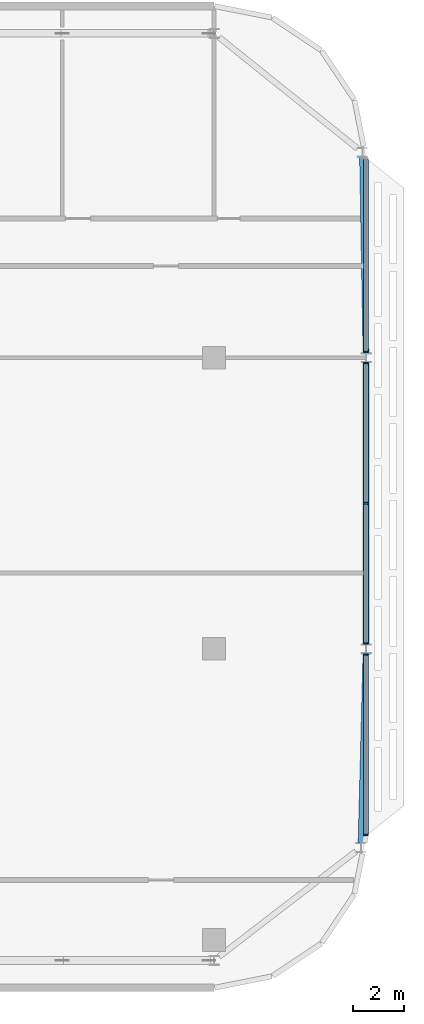
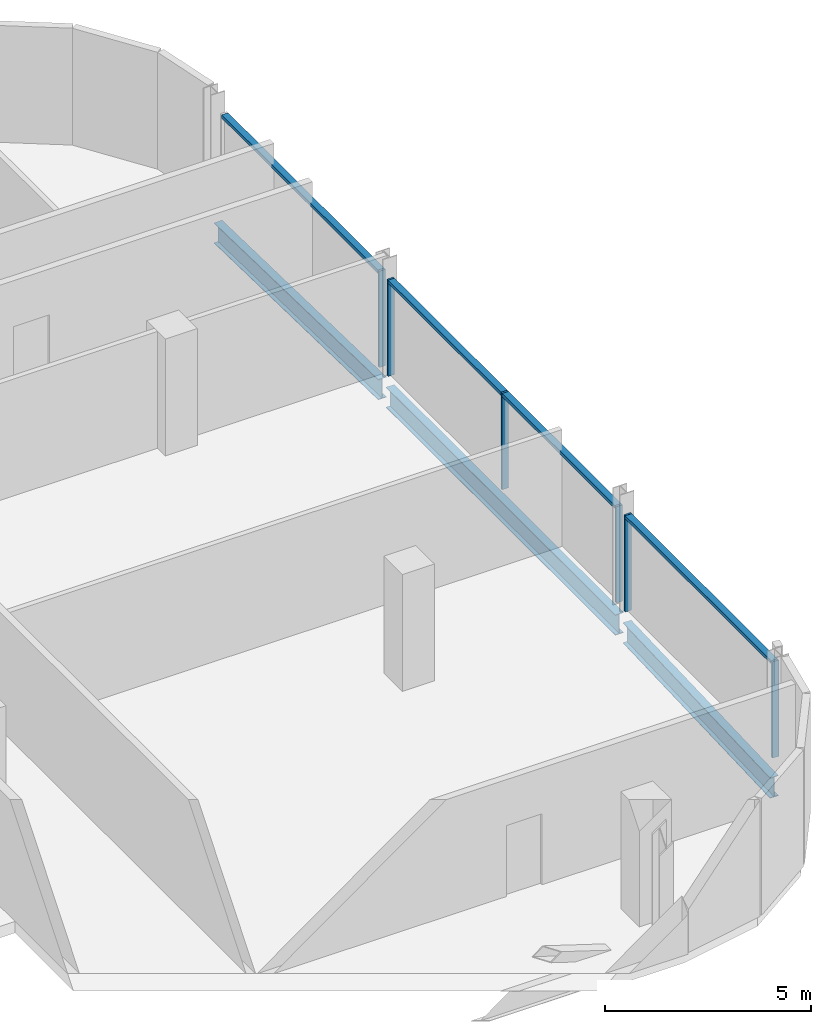
# One storey, part 10 of 28: 10 members, 3 beams, 3 elements without a shape of their own.
"""IFC4 building model written with IfcOpenShell, lengths in metres."""

from ifc_helpers import new_model, si_unit, direction, frame, origin, origin_2d, place, context, subcontext, project, spatial, rectangle, i_section, extrude, material, material_profile, profile_set, type_object, element, aggregate, save


model = new_model("IFC4")

# Units and contexts
model_context = context("Model", 3, precision=1e-05, world=origin(), true_north=direction((0.0, 1.0)))
body_context = subcontext(model_context, "Body", "Model", "MODEL_VIEW")
ifc_project = project(units=[si_unit("LENGTHUNIT", "METRE"), si_unit("AREAUNIT", "SQUARE_METRE"), si_unit("VOLUMEUNIT", "CUBIC_METRE"), si_unit("PLANEANGLEUNIT", "RADIAN"), si_unit("MASSUNIT", "GRAM", prefix="KILO")], contexts=[model_context])

# Site, building, storey
site_placement = place(None, origin())
site = spatial("IfcSite", under=ifc_project, at=site_placement, CompositionType="ELEMENT")
building_placement = place(site_placement, origin())
building = spatial("IfcBuilding", under=site, at=building_placement, Name="Mahtab Terrace Research Tower", CompositionType="ELEMENT")
storey_placement = place(building_placement, frame((0.0, 0.0, 270.89990234375)))
storey = spatial("IfcBuildingStorey", under=building, at=storey_placement, Name="L66", CompositionType="ELEMENT", Elevation=270.89990234375)

# Curtain wall, members
ifc_material_1 = material(Name="Office ribbon curtain wall")
curtain_wall_type = type_object("IfcCurtainWallType", Name="Office ribbon curtain wall", PredefinedType="NOTDEFINED", material=ifc_material_1)
curtain_wall_1_placement = place(storey_placement, origin())
curtain_wall_1 = element("IfcCurtainWall", 1, at=curtain_wall_1_placement, inside=storey, type_object=curtain_wall_type, Name="EN.L66.18.22", PredefinedType="NOTDEFINED")
ifc_material_2 = material(Name="Natural anodised aluminium", Category="aluminium")
ifc_material_profile_1 = material_profile(ifc_material_2, rectangle(XDim=0.179931640625, YDim=0.06005859375, at=origin_2d()), Name="MULLION 60x180")
ifc_profile_set_1 = profile_set([ifc_material_profile_1], Name="Natural anodised aluminium")
member_type_1 = type_object("IfcMemberType", Name="Office ribbon curtain wall mullion", PredefinedType="MULLION", material=ifc_profile_set_1)
member_1_placement = place(storey_placement, frame((48.0, -7.360107421875, 0.0), z_axis=(0.0, 0.0, 1.0), x_axis=(-1.0, 0.0, 0.0)))
member_1 = element("IfcMember", 2, at=member_1_placement, type_object=member_type_1, Name="CWO-8 mullion 1", PredefinedType="MULLION", context=body_context, shape_type="SweptSolid", body=[
    extrude(rectangle(XDim=0.179931640625, YDim=0.06005859375, at=origin_2d()), origin(), (0.0, 0.0, 1.0), 2.85302734375),
])
member_2_placement = place(storey_placement, frame((48.0, -0.218017578125, 0.0), z_axis=(0.0, 0.0, 1.0), x_axis=(-1.0, 0.0, 0.0)))
member_2 = element("IfcMember", 3, at=member_2_placement, type_object=member_type_1, Name="CWO-8 mullion 2", PredefinedType="MULLION", context=body_context, shape_type="SweptSolid", body=[
    extrude(rectangle(XDim=0.179931640625, YDim=0.06005859375, at=origin_2d()), origin(), (0.0, 0.0, 1.0), 2.85302734375),
])

curtain_wall_2_placement = place(storey_placement, origin())
curtain_wall_2 = element("IfcCurtainWall", 4, at=curtain_wall_2_placement, inside=storey, type_object=curtain_wall_type, Name="EN.L66.18.23", PredefinedType="NOTDEFINED")
member_3_placement = place(storey_placement, frame((48.0, 0.218017578125, 0.0), z_axis=(0.0, 0.0, 1.0), x_axis=(-1.0, 0.0, 0.0)))
member_3 = element("IfcMember", 5, at=member_3_placement, type_object=member_type_1, Name="CWO-8 mullion 1", PredefinedType="MULLION", context=body_context, shape_type="SweptSolid", body=[
    extrude(rectangle(XDim=0.179931640625, YDim=0.06005859375, at=origin_2d()), origin(), (0.0, 0.0, 1.0), 2.85302734375),
])
member_4_placement = place(storey_placement, frame((48.0, 5.75, 0.0), z_axis=(0.0, 0.0, 1.0), x_axis=(-1.0, 0.0, 0.0)))
member_4 = element("IfcMember", 6, at=member_4_placement, type_object=member_type_1, Name="CWO-8 mullion 2", PredefinedType="MULLION", context=body_context, shape_type="SweptSolid", body=[
    extrude(rectangle(XDim=0.179931640625, YDim=0.06005859375, at=origin_2d()), origin(), (0.0, 0.0, 1.0), 2.85302734375),
])
member_5_placement = place(storey_placement, frame((48.0, 11.281982421875, 0.0), z_axis=(0.0, 0.0, 1.0), x_axis=(-1.0, 0.0, 0.0)))
member_5 = element("IfcMember", 7, at=member_5_placement, type_object=member_type_1, Name="CWO-8 mullion 3", PredefinedType="MULLION", context=body_context, shape_type="SweptSolid", body=[
    extrude(rectangle(XDim=0.179931640625, YDim=0.06005859375, at=origin_2d()), origin(), (0.0, 0.0, 1.0), 2.85302734375),
])

# Curtain wall, member
curtain_wall_3_placement = place(storey_placement, origin())
curtain_wall_3 = element("IfcCurtainWall", 8, at=curtain_wall_3_placement, inside=storey, type_object=curtain_wall_type, Name="EN.L66.18.24", PredefinedType="NOTDEFINED")
member_6_placement = place(storey_placement, frame((48.0, 11.718017578125, 0.0), z_axis=(0.0, 0.0, 1.0), x_axis=(-1.0, 0.0, 0.0)))
member_6 = element("IfcMember", 9, at=member_6_placement, type_object=member_type_1, Name="CWO-8 mullion 1", PredefinedType="MULLION", context=body_context, shape_type="SweptSolid", body=[
    extrude(rectangle(XDim=0.179931640625, YDim=0.06005859375, at=origin_2d()), origin(), (0.0, 0.0, 1.0), 2.85302734375),
])

# Member
ifc_material_profile_2 = material_profile(ifc_material_2, rectangle(XDim=0.179931640625, YDim=0.10009765625, at=origin_2d()), Name="TRANSOM 100x180")
ifc_profile_set_2 = profile_set([ifc_material_profile_2], Name="Natural anodised aluminium")
member_type_2 = type_object("IfcMemberType", Name="Office ribbon curtain wall transom", PredefinedType="USERDEFINED", material=ifc_profile_set_2)
member_7_placement = place(storey_placement, frame((48.0, -7.330078125, 2.802978515625), z_axis=(0.0, 1.0, 0.0), x_axis=(-1.0, 0.0, 0.0)))
member_7 = element("IfcMember", 10, at=member_7_placement, type_object=member_type_2, Name="CWO-8 transom 1", ObjectType="TRANSOM", PredefinedType="USERDEFINED", context=body_context, shape_type="SweptSolid", body=[
    extrude(rectangle(XDim=0.179931640625, YDim=0.10009765625, at=origin_2d()), origin(), (0.0, 0.0, 1.0), 7.08203125),
])

aggregate(curtain_wall_1, [member_1, member_2, member_7])

member_8_placement = place(storey_placement, frame((48.0, 0.248046875, 2.802978515625), z_axis=(0.0, 1.0, 0.0), x_axis=(-1.0, 0.0, 0.0)))
member_8 = element("IfcMember", 11, at=member_8_placement, type_object=member_type_2, Name="CWO-8 transom 1", ObjectType="TRANSOM", PredefinedType="USERDEFINED", context=body_context, shape_type="SweptSolid", body=[
    extrude(rectangle(XDim=0.179931640625, YDim=0.10009765625, at=origin_2d()), origin(), (0.0, 0.0, 1.0), 5.471923828125),
])

member_9_placement = place(storey_placement, frame((48.0, 5.780029296875, 2.802978515625), z_axis=(0.0, 1.0, 0.0), x_axis=(-1.0, 0.0, 0.0)))
member_9 = element("IfcMember", 12, at=member_9_placement, type_object=member_type_2, Name="CWO-8 transom 2", ObjectType="TRANSOM", PredefinedType="USERDEFINED", context=body_context, shape_type="SweptSolid", body=[
    extrude(rectangle(XDim=0.179931640625, YDim=0.10009765625, at=origin_2d()), origin(), (0.0, 0.0, 1.0), 5.471923828125),
])

aggregate(curtain_wall_2, [member_3, member_4, member_5, member_8, member_9])

member_10_placement = place(storey_placement, frame((48.0, 11.748046875, 2.802978515625), z_axis=(0.0, 1.0, 0.0), x_axis=(-1.0, 0.0, 0.0)))
member_10 = element("IfcMember", 13, at=member_10_placement, type_object=member_type_2, Name="CWO-8 transom 1", ObjectType="TRANSOM", PredefinedType="USERDEFINED", context=body_context, shape_type="SweptSolid", body=[
    extrude(rectangle(XDim=0.179931640625, YDim=0.10009765625, at=origin_2d()), origin(), (0.0, 0.0, 1.0), 7.58203125),
])

aggregate(curtain_wall_3, [member_6, member_10])

# Beams
ifc_material_3 = material(Name="Steel ASTM A992 Gr 50", Category="steel")
ifc_material_profile_3 = material_profile(ifc_material_3, i_section(OverallWidth=0.228271484375, OverallDepth=0.607177734375, WebThickness=0.01123046875, FlangeThickness=0.017333984375, at=origin_2d()), Name="W24X76")
ifc_profile_set_3 = profile_set([ifc_material_profile_3], Name="Steel ASTM A992 Gr 50")
beam_type = type_object("IfcBeamType", Name="W24x76 beam BS2476", PredefinedType="BEAM", material=ifc_profile_set_3)
beam_1_placement = place(storey_placement, frame((47.802734375, -7.66015625, -0.6435546875), z_axis=(0.025738056343, 0.999668721355, 0.0), x_axis=(-0.999668721355, 0.025738056343, 0.0)))
element("IfcBeam", 14, at=beam_1_placement, inside=storey, type_object=beam_type, Name="Spandrel beam L66 22", PredefinedType="BEAM", context=body_context, shape_type="SweptSolid", body=[
    extrude(i_section(OverallWidth=0.228271484375, OverallDepth=0.607177734375, WebThickness=0.01123046875, FlangeThickness=0.017333984375, at=origin_2d()), origin(), (0.0, 0.0, 1.0), 7.474609375),
])
beam_2_placement = place(storey_placement, frame((48.0, 0.18798828125, -0.6435546875), z_axis=(0.0, 1.0, 0.0), x_axis=(-1.0, 0.0, 0.0)))
element("IfcBeam", 15, at=beam_2_placement, inside=storey, type_object=beam_type, Name="Spandrel beam L66 23", PredefinedType="BEAM", context=body_context, shape_type="SweptSolid", body=[
    extrude(i_section(OverallWidth=0.228271484375, OverallDepth=0.607177734375, WebThickness=0.01123046875, FlangeThickness=0.017333984375, at=origin_2d()), origin(), (0.0, 0.0, 1.0), 11.1240234375),
])
beam_3_placement = place(storey_placement, frame((47.99658203125, 11.68798828125, -0.6435546875), z_axis=(-0.017623139265, 0.999844700422, 0.0), x_axis=(-0.999844700422, -0.017623139265, 0.0)))
element("IfcBeam", 16, at=beam_3_placement, inside=storey, type_object=beam_type, Name="Spandrel beam L66 24", PredefinedType="BEAM", context=body_context, shape_type="SweptSolid", body=[
    extrude(i_section(OverallWidth=0.228271484375, OverallDepth=0.607177734375, WebThickness=0.01123046875, FlangeThickness=0.017333984375, at=origin_2d()), origin(), (0.0, 0.0, 1.0), 7.730224609375),
])

save(model, "model.ifc")
